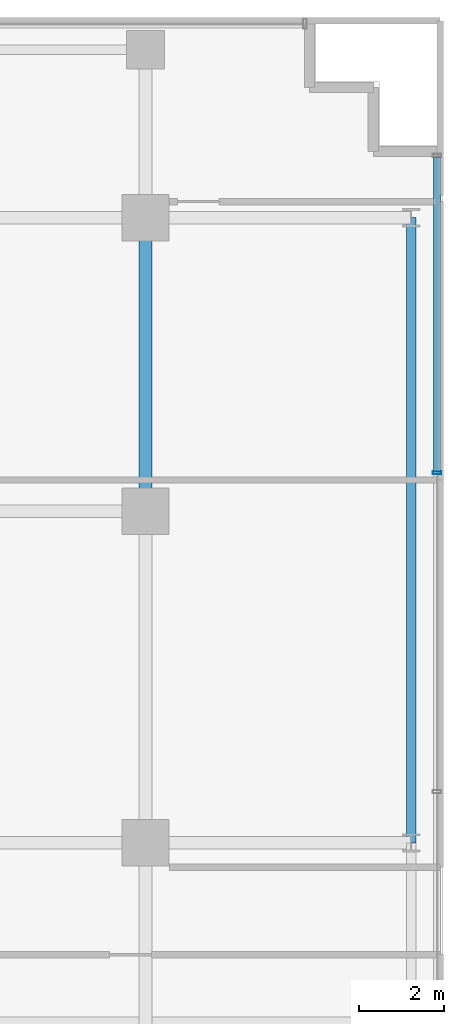
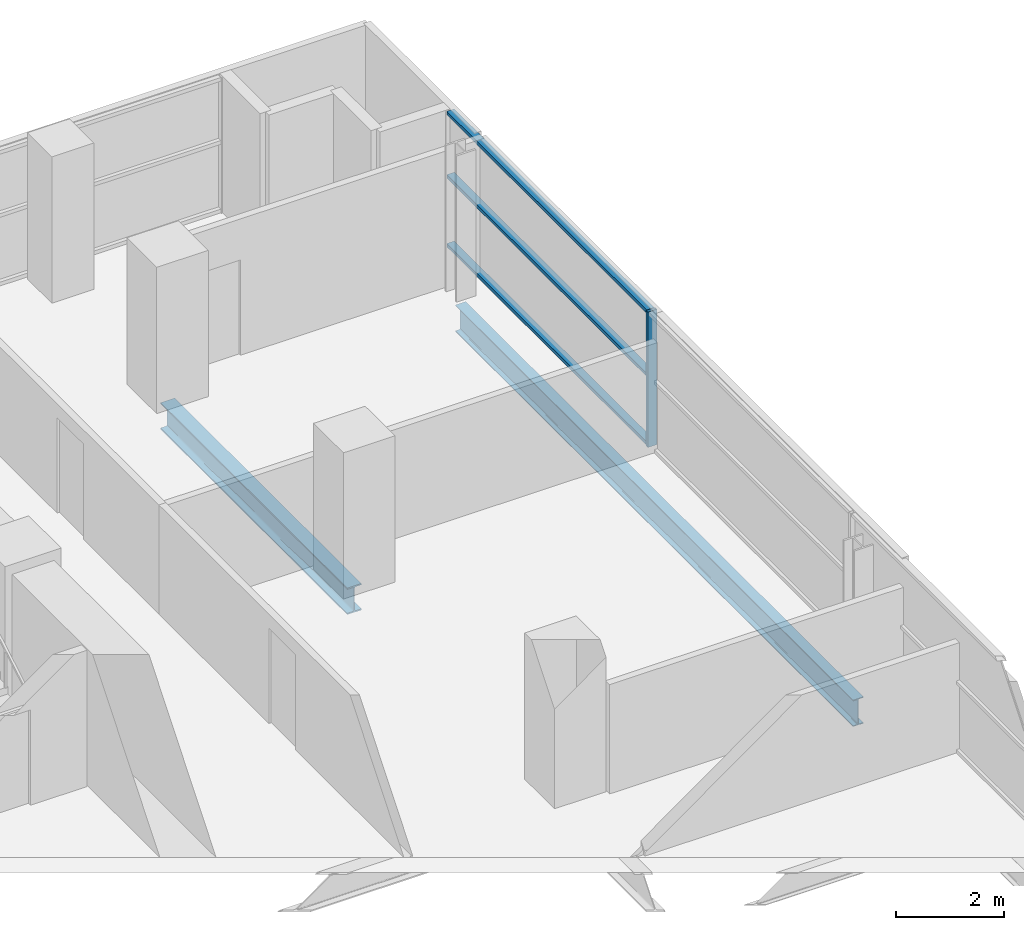
# One storey, part 16 of 30: 4 members, 2 beams, 1 element without a shape of its own.
"""IFC4 building model written with IfcOpenShell, lengths in metres."""

from ifc_helpers import new_model, si_unit, direction, frame, origin, origin_2d, place, context, subcontext, project, spatial, hollow_rectangle, i_section, extrude, source, transform, mapped, material, layer, layer_set, material_profile, profile_set, type_object, element, aggregate, save


model = new_model("IFC4")

# Units and contexts
model_context = context("Model", 3, precision=1e-05, world=origin(), true_north=direction((0.0, 1.0)))
body_context = subcontext(model_context, "Body", "Model", "MODEL_VIEW")
ifc_project = project(units=[si_unit("LENGTHUNIT", "METRE"), si_unit("AREAUNIT", "SQUARE_METRE"), si_unit("VOLUMEUNIT", "CUBIC_METRE"), si_unit("PLANEANGLEUNIT", "RADIAN"), si_unit("MASSUNIT", "GRAM", prefix="KILO")], contexts=[model_context])

# Site, building, storey
site_placement = place(None, origin())
site = spatial("IfcSite", under=ifc_project, at=site_placement, CompositionType="ELEMENT")
building_placement = place(site_placement, origin())
building = spatial("IfcBuilding", under=site, at=building_placement, Name="Zarnakvel Exchange Tower", CompositionType="ELEMENT")
storey_placement = place(building_placement, frame((0.0, 0.0, 40.60009765625)))
storey = spatial("IfcBuildingStorey", under=building, at=storey_placement, Name="L10", CompositionType="ELEMENT", Elevation=40.60009765625)

# Beams
ifc_material_1 = material(Name="Steel S355", Category="steel")
ifc_material_profile_1 = material_profile(ifc_material_1, i_section(OverallWidth=0.300048828125, OverallDepth=0.60009765625, WebThickness=0.015380859375, FlangeThickness=0.030029296875, FilletRadius=0.027099609375, at=origin_2d()))
ifc_profile_set_1 = profile_set([ifc_material_profile_1], Name="Steel S355")
beam_type_1 = type_object("IfcBeamType", Name="G-04", PredefinedType="BEAM", material=ifc_profile_set_1)
beam_1_placement = place(storey_placement, frame((21.60009765625, 6.60009765625, -0.525146484375), z_axis=(0.0, 1.0, 0.0), x_axis=(-1.0, 0.0, 0.0)))
element("IfcBeam", 1, at=beam_1_placement, inside=storey, type_object=beam_type_1, Name="L10 Tower N-S Frame Beam", PredefinedType="BEAM", context=body_context, shape_type="SweptSolid", body=[
    extrude(i_section(OverallWidth=0.300048828125, OverallDepth=0.60009765625, WebThickness=0.015380859375, FlangeThickness=0.030029296875, FilletRadius=0.027099609375, at=origin_2d()), origin(), (0.0, 0.0, 1.0), 6.89990234375),
])
ifc_material_profile_2 = material_profile(ifc_material_1, i_section(OverallWidth=0.219970703125, OverallDepth=0.60009765625, WebThickness=0.011962890625, FlangeThickness=0.01904296875, FilletRadius=0.02392578125, at=origin_2d()))
ifc_profile_set_2 = profile_set([ifc_material_profile_2], Name="Steel S355")
beam_type_2 = type_object("IfcBeamType", Name="SP-01", PredefinedType="SPANDREL", material=ifc_profile_set_2)
beam_2_placement = place(storey_placement, frame((27.85009765625, -1.199951171875, -0.525146484375), z_axis=(0.0, 1.0, 0.0), x_axis=(-1.0, 0.0, 0.0)))
element("IfcBeam", 2, at=beam_2_placement, inside=storey, type_object=beam_type_2, Name="L10 Tower N-S Frame Beam", PredefinedType="SPANDREL", context=body_context, shape_type="SweptSolid", body=[
    extrude(i_section(OverallWidth=0.219970703125, OverallDepth=0.60009765625, WebThickness=0.011962890625, FlangeThickness=0.01904296875, FilletRadius=0.02392578125, at=origin_2d()), origin(), (0.0, 0.0, 1.0), 14.699951171875),
])

# Curtain wall, members
ifc_material_2 = material(Name="Architectural Bronze Anodised Aluminium", Category="aluminium")
ifc_layer = layer(ifc_material_2, 0.199951171875)
ifc_layer_set = layer_set([ifc_layer], Name="Architectural Bronze Anodised Aluminium")
curtain_wall_type = type_object("IfcCurtainWallType", Name="CW-04", PredefinedType="NOTDEFINED", material=ifc_layer_set)
curtain_wall_placement = place(storey_placement, origin())
curtain_wall = element("IfcCurtainWall", 3, at=curtain_wall_placement, inside=storey, type_object=curtain_wall_type, Name="L10 Curtain Wall CW-L10-E1 (CW-04)", PredefinedType="NOTDEFINED")
ifc_material_profile_3 = material_profile(ifc_material_2, hollow_rectangle(XDim=0.159912109375, YDim=0.074951171875, WallThickness=0.00390625, at=origin_2d()))
ifc_profile_set_3 = profile_set([ifc_material_profile_3], Name="Architectural Bronze Anodised Aluminium")
member_type_1 = type_object("IfcMemberType", Name="CWT-04", PredefinedType="USERDEFINED", material=ifc_profile_set_3)
shared_shape_1 = source(origin(), body_context, "Body", "SweptSolid", [
    extrude(hollow_rectangle(XDim=0.159912109375, YDim=0.074951171875, WallThickness=0.00390625, at=origin_2d()), origin(), (0.0, 0.0, 1.0), 7.387451171875),
])
member_1_placement = place(storey_placement, frame((28.4599609375, 7.53759765625, 0.037353515625), z_axis=(0.0, 1.0, 0.0), x_axis=(-1.0, 0.0, 0.0)))
member_1 = element("IfcMember", 4, at=member_1_placement, type_object=member_type_1, Name="CW-04 transom 4.1", ObjectType="TRANSOM", PredefinedType="USERDEFINED", context=body_context, shape_type="MappedRepresentation", body=[
    mapped(shared_shape_1, transform((0.0, 0.0, 0.0), x_axis=(1.0, 0.0, 0.0), y_axis=(0.0, 1.0, 0.0), z_axis=(0.0, 0.0, 1.0), scale=1.0)),
])
member_2_placement = place(storey_placement, frame((28.4599609375, 7.53759765625, 1.588623046875), z_axis=(0.0, 1.0, 0.0), x_axis=(-1.0, 0.0, 0.0)))
member_2 = element("IfcMember", 5, at=member_2_placement, type_object=member_type_1, Name="CW-04 transom 4.2", ObjectType="TRANSOM", PredefinedType="USERDEFINED", context=body_context, shape_type="MappedRepresentation", body=[
    mapped(shared_shape_1, transform((0.0, 0.0, 0.0), x_axis=(1.0, 0.0, 0.0), y_axis=(0.0, 1.0, 0.0), z_axis=(0.0, 0.0, 1.0), scale=1.0)),
])
member_3_placement = place(storey_placement, frame((28.4599609375, 7.53759765625, 3.017333984375), z_axis=(0.0, 1.0, 0.0), x_axis=(-1.0, 0.0, 0.0)))
member_3 = element("IfcMember", 6, at=member_3_placement, type_object=member_type_1, Name="CW-04 transom 4.3", ObjectType="TRANSOM", PredefinedType="USERDEFINED", context=body_context, shape_type="MappedRepresentation", body=[
    mapped(shared_shape_1, transform((0.0, 0.0, 0.0), x_axis=(1.0, 0.0, 0.0), y_axis=(0.0, 1.0, 0.0), z_axis=(0.0, 0.0, 1.0), scale=1.0)),
])
ifc_material_profile_4 = material_profile(ifc_material_2, hollow_rectangle(XDim=0.199951171875, YDim=0.074951171875, WallThickness=0.0048828125, at=origin_2d()))
ifc_profile_set_4 = profile_set([ifc_material_profile_4], Name="Architectural Bronze Anodised Aluminium")
member_type_2 = type_object("IfcMemberType", Name="CWM-04", PredefinedType="MULLION", material=ifc_profile_set_4)
shared_shape_2 = source(origin(), body_context, "Body", "SweptSolid", [
    extrude(hollow_rectangle(XDim=0.199951171875, YDim=0.074951171875, WallThickness=0.0048828125, at=origin_2d()), origin(), (0.0, 0.0, 1.0), 3.054931640625),
])
member_4_placement = place(storey_placement, frame((28.4599609375, 7.5, 0.0), z_axis=(0.0, 0.0, 1.0), x_axis=(-1.0, 0.0, 0.0)))
member_4 = element("IfcMember", 7, at=member_4_placement, type_object=member_type_2, Name="CW-04 mullion 4", PredefinedType="MULLION", context=body_context, shape_type="MappedRepresentation", body=[
    mapped(shared_shape_2, transform((0.0, 0.0, 0.0), x_axis=(1.0, 0.0, 0.0), y_axis=(0.0, 1.0, 0.0), z_axis=(0.0, 0.0, 1.0), scale=1.0)),
])
aggregate(curtain_wall, [member_4, member_1, member_2, member_3])

save(model, "model.ifc")
